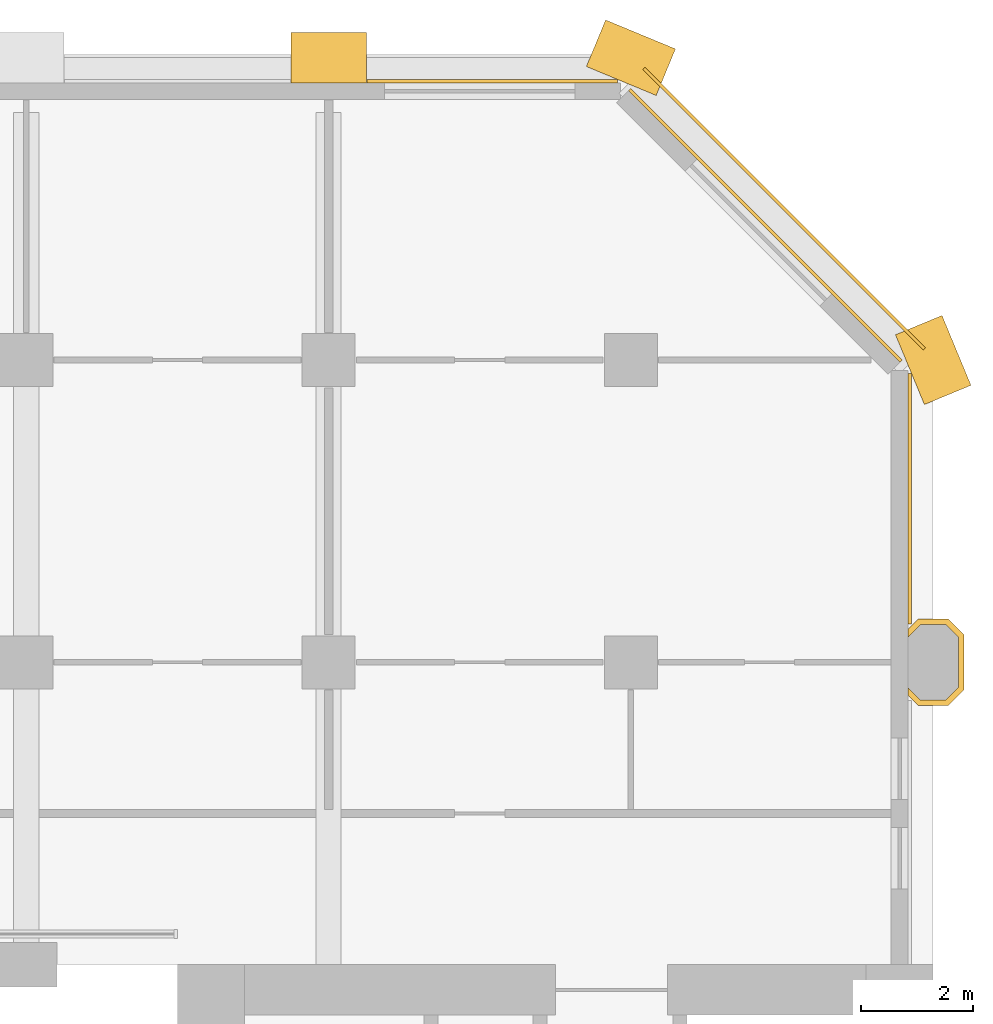
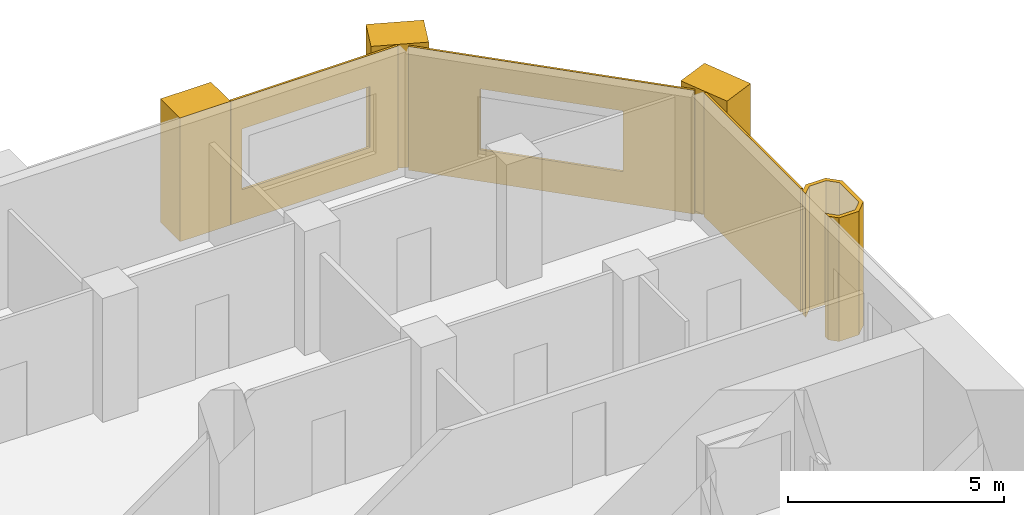
# One storey, part 13 of 13: 8 coverings.
"""IFC4 building model written with IfcOpenShell, lengths in metres."""

from ifc_helpers import new_model, si_unit, direction, frame, frame_2d, origin, place, context, subcontext, project, spatial, polyline, rectangle, outline, extrude, material, layer, layer_set, type_object, element, save


model = new_model("IFC4")

# Units and contexts
model_context = context("Model", 3, precision=1e-05, world=origin(), true_north=direction((0.0, 1.0)))
body_context = subcontext(model_context, "Body", "Model", "MODEL_VIEW")
ifc_project = project(units=[si_unit("LENGTHUNIT", "METRE"), si_unit("AREAUNIT", "SQUARE_METRE"), si_unit("VOLUMEUNIT", "CUBIC_METRE"), si_unit("PLANEANGLEUNIT", "RADIAN"), si_unit("MASSUNIT", "GRAM", prefix="KILO")], contexts=[model_context])

# Site, building, storey
site_placement = place(None, origin())
site = spatial("IfcSite", under=ifc_project, at=site_placement, CompositionType="ELEMENT")
building_placement = place(site_placement, origin())
building = spatial("IfcBuilding", under=site, at=building_placement, Name="Tabaq Tower and Sports Hall", CompositionType="ELEMENT")
storey_placement = place(building_placement, frame((0.0, 0.0, 118.199951171875)))
storey = spatial("IfcBuildingStorey", under=building, at=storey_placement, Name="L28", CompositionType="ELEMENT", Elevation=118.199951171875)

# Coverings
ifc_material_1 = material(Name="Precast concrete C60/75", Category="concrete")
ifc_layer_1 = layer(ifc_material_1, 0.10009765625)
ifc_layer_set_1 = layer_set([ifc_layer_1], Name="Column cladding 100")
covering_type_1 = type_object("IfcCoveringType", Name="Column cladding 100", PredefinedType="CLADDING", material=ifc_layer_set_1)
covering_1_placement = place(storey_placement, origin())
element("IfcCovering", 1, at=covering_1_placement, inside=storey, type_object=covering_type_1, Name="Column cladding L28 PC-9H-O3", PredefinedType="CLADDING", context=body_context, shape_type="SweptSolid", body=[
    extrude(outline(polyline([(42.93359375, 37.025390625), (42.750244140625, 37.208740234375), (42.750244140625, 37.349365234375), (42.974853515625, 37.124755859375), (43.425048828125, 37.124755859375), (43.650390625, 37.349853515625), (43.650390625, 38.250244140625), (43.425048828125, 38.475341796875), (42.974853515625, 38.475341796875), (42.750244140625, 38.250732421875), (42.750244140625, 38.391357421875), (42.93359375, 38.57470703125), (43.46630859375, 38.57470703125), (43.749755859375, 38.291259765625), (43.749755859375, 37.30859375), (43.46630859375, 37.025390625), (42.93359375, 37.025390625)])), origin(), (0.0, 0.0, 1.0), 3.5),
])
ifc_material_2 = material(Name="Precast concrete C60/75", Category="concrete")
ifc_layer_2 = layer(ifc_material_2, 0.06005859375)
ifc_layer_set_2 = layer_set([ifc_layer_2], Name="Edge beam cladding 60")
covering_type_2 = type_object("IfcCoveringType", Name="Edge beam cladding 60", PredefinedType="CLADDING", material=ifc_layer_set_2)
covering_2_placement = place(storey_placement, frame((43.04443359375, 43.39794921875, -0.300048828125), z_axis=(0.0, 0.0, 1.0), x_axis=(-0.707106781187, 0.707106781187, 0.0)))
element("IfcCovering", 2, at=covering_2_placement, inside=storey, type_object=covering_type_2, Name="Edge beam cladding L28 1", PredefinedType="CLADDING", context=body_context, shape_type="SweptSolid", body=[
    extrude(rectangle(XDim=7.08837890625, YDim=0.06005859375, at=frame_2d((3.544189453125, 0.0))), origin(), (0.0, 0.0, 1.0), 0.300048828125),
])
ifc_material_3 = material(Name="White precast concrete C60/75", Category="concrete")
covering_type_3 = type_object("IfcCoveringType", Name="Pier cladding hung 1350x900", PredefinedType="CLADDING", material=ifc_material_3)
covering_3_placement = place(storey_placement, frame((33.074951171875, 48.60009765625, 0.0), z_axis=(0.0, 0.0, 1.0), x_axis=(-1.0, 0.0, 0.0)))
element("IfcCovering", 3, at=covering_3_placement, inside=storey, type_object=covering_type_3, Name="Hung pier cladding 6/9", PredefinedType="CLADDING", context=body_context, shape_type="SweptSolid", body=[
    extrude(rectangle(XDim=1.349853515625, YDim=0.89990234375, at=frame_2d((0.6748046875, 0.0))), origin(), (0.0, 0.0, 1.0), 3.5),
])
for number, where, z_axis, x_axis, name in (
    (4, (38.423583984375, 48.341796875, 0.0), (0.0, 0.0, 1.0), (-0.923893411637, 0.382649923473, 0.0), "Hung pier cladding 7/9"),
    (5, (43.458251953125, 42.576416015625, 0.0), (0.0, 0.0, 1.0), (-0.382649923473, 0.923893411637, 0.0), "Hung pier cladding 8/8"),
):
    element("IfcCovering", number, at=place(storey_placement, frame(where, z_axis=z_axis, x_axis=x_axis)), inside=storey, type_object=covering_type_3, Name=name, PredefinedType="CLADDING", context=body_context, shape_type="SweptSolid", body=[
        extrude(rectangle(XDim=1.35009765625, YDim=0.89990234375, at=frame_2d((0.675048828125, 0.0))), origin(), (0.0, 0.0, 1.0), 3.5),
    ])
ifc_material_4 = material(Name="Precast concrete C60/75", Category="concrete")
ifc_layer_3 = layer(ifc_material_4, 0.06005859375)
ifc_layer_set_3 = layer_set([ifc_layer_3], Name="White precast cladding panel 60 C60/75")
covering_type_4 = type_object("IfcCoveringType", Name="White precast cladding panel 60 C60/75", PredefinedType="CLADDING", material=ifc_layer_set_3)
covering_4_placement = place(storey_placement, frame((42.780029296875, 38.485107421875, 0.0), z_axis=(0.0, 0.0, 1.0), x_axis=(0.0, 1.0, 0.0)))
element("IfcCovering", 6, at=covering_4_placement, inside=storey, type_object=covering_type_4, Name="White precast cladding panel L28 wall02-1 2", PredefinedType="CLADDING", context=body_context, shape_type="SweptSolid", body=[
    extrude(rectangle(XDim=4.4716796875, YDim=0.06005859375, at=frame_2d((2.23583984375, 0.0))), origin(), (0.0, 0.0, 1.0), 3.5),
])
covering_5_placement = place(storey_placement, frame((42.628173828125, 43.177734375, 0.0), z_axis=(0.0, 0.0, 1.0), x_axis=(-0.707088985397, 0.707124576528, 0.0)))
element("IfcCovering", 7, at=covering_5_placement, inside=storey, type_object=covering_type_4, Name="White precast cladding panel L28 wall03", PredefinedType="CLADDING", context=body_context, shape_type="SweptSolid", body=[
    extrude(outline(polyline([(0.0, 0.0), (6.859619140625, 0.0), (6.859619140625, 3.5), (0.0, 3.5), (0.0, 0.0)]), holes=[polyline([(1.7197265625, 0.89013671875), (1.7197265625, 2.610107421875), (5.139892578125, 2.610107421875), (5.139892578125, 0.89013671875), (1.7197265625, 0.89013671875)])]), frame((0.0, 0.030029296875, 0.0), z_axis=(0.0, -1.0, 0.0), x_axis=(1.0, 0.0, 0.0)), (0.0, 0.0, 1.0), 0.06005859375),
])
covering_6_placement = place(storey_placement, frame((37.556884765625, 48.179931640625, 0.0), z_axis=(0.0, 0.0, 1.0), x_axis=(-1.0, 0.0, 0.0)))
element("IfcCovering", 8, at=covering_6_placement, inside=storey, type_object=covering_type_4, Name="White precast cladding panel L28 wall04", PredefinedType="CLADDING", context=body_context, shape_type="SweptSolid", body=[
    extrude(outline(polyline([(0.0, 0.0), (4.471923828125, 0.0), (4.471923828125, 3.5), (0.0, 3.5), (0.0, 0.0)]), holes=[polyline([(0.746826171875, 0.89013671875), (0.746826171875, 2.610107421875), (4.166748046875, 2.610107421875), (4.166748046875, 0.89013671875), (0.746826171875, 0.89013671875)])]), frame((0.0, 0.030029296875, 0.0), z_axis=(0.0, -1.0, 0.0), x_axis=(1.0, 0.0, 0.0)), (0.0, 0.0, 1.0), 0.06005859375),
])

save(model, "model.ifc")
